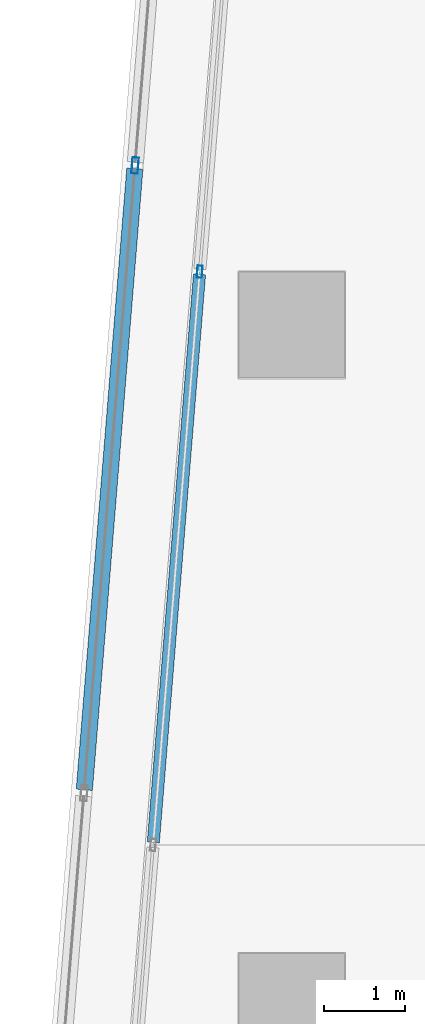
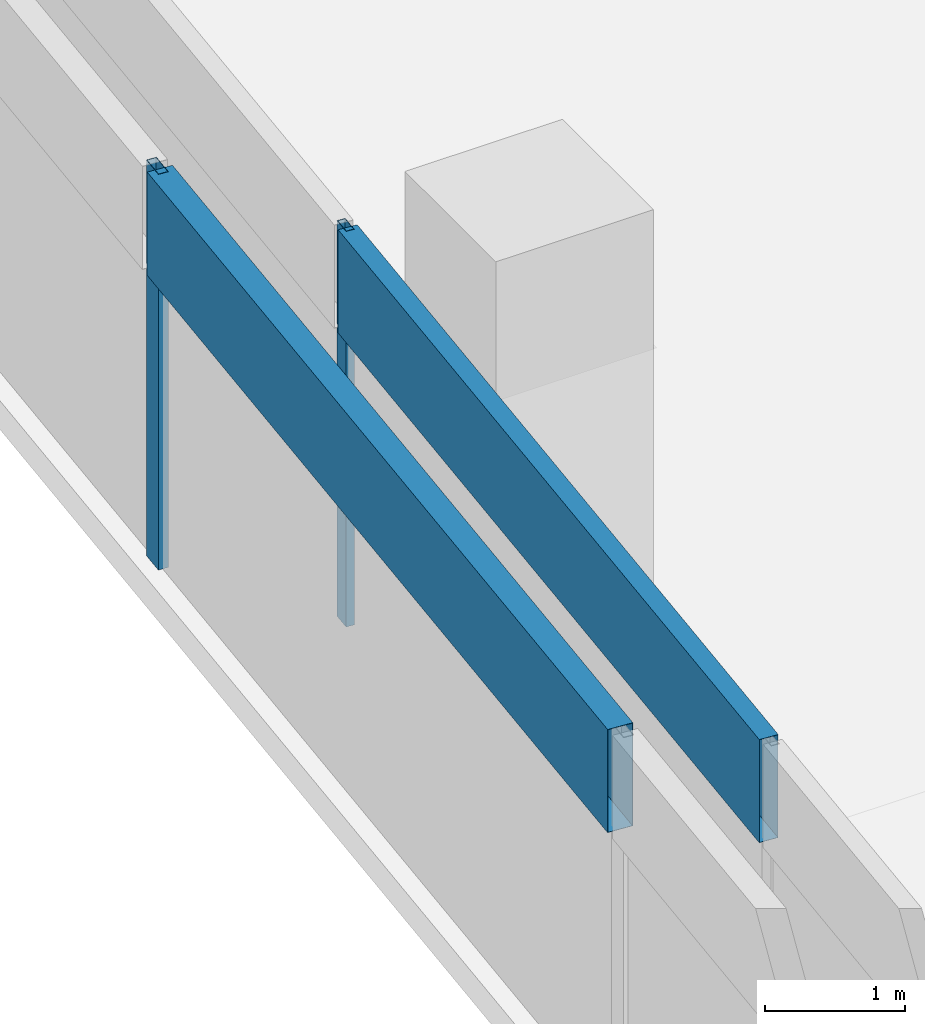
# One storey, part 8 of 30: 4 members, 2 elements without a shape of their own.
"""IFC4 building model written with IfcOpenShell, lengths in metres."""

import ifcopenshell
import ifcopenshell.guid

model = None  # the IFC model being written
_history = None  # IfcOwnerHistory: only IFC2X3 demands one
_inside = {}  # id of a spatial element -> (the spatial element, [elements in it])
_under = {}  # id of a project, library or spatial element -> (it, [spatial elements below it])
_declared = {}  # id of a project -> (the project, [libraries it declares])
_typed = {}  # id of a type object -> (the type object, [elements of that type])
_made_of = {}  # id of a material, layer set ... -> (it, [elements and type objects made of it])


def new_model(schema):
    """Start an empty IFC model of exactly this schema.

    Asked for "IFC4X3", IfcOpenShell would pick the latest addendum, in which some entities
    have other attributes; the version numbers below select the first issue.
    IFC2X3 requires an IfcOwnerHistory on every rooted entity: one is made here for all.
    """
    global model, _history
    if schema == "IFC4X3":
        model = ifcopenshell.file(schema_version=(4, 3, 0, 0))
    else:
        model = ifcopenshell.file(schema=schema)
    _inside.clear()
    _under.clear()
    _declared.clear()
    _typed.clear()
    _made_of.clear()
    _history = None
    if model.schema == "IFC2X3":
        org = make("IfcOrganization", Name="unknown")
        user = make(
            "IfcPersonAndOrganization",
            ThePerson=make("IfcPerson", FamilyName="unknown"),
            TheOrganization=org,
        )
        app = make(
            "IfcApplication",
            ApplicationDeveloper=org,
            Version="unknown",
            ApplicationFullName="unknown",
            ApplicationIdentifier="unknown",
        )
        _history = make(
            "IfcOwnerHistory",
            OwningUser=user,
            OwningApplication=app,
            ChangeAction="ADDED",
            CreationDate=0,
        )
    return model


def make(cls, **values):
    """One entity of the class cls with the attributes given. An attribute that is None is left unset."""
    return model.create_entity(
        cls, **{name: value for name, value in values.items() if value is not None}
    )


def rooted(cls, **values):
    """An entity with a GlobalId (a new one), such as an element, a storey or a relation."""
    return make(cls, GlobalId=ifcopenshell.guid.new(), OwnerHistory=_history, **values)


def si_unit(unit_type, name, prefix=None):
    """IfcSIUnit, for example si_unit("LENGTHUNIT", "METRE", prefix="MILLI")."""
    return make("IfcSIUnit", UnitType=unit_type, Prefix=prefix, Name=name)


def assignment(units):
    """IfcUnitAssignment: the units of a project."""
    return None if units is None else make("IfcUnitAssignment", Units=units)


def point(xyz):
    """IfcCartesianPoint."""
    return None if xyz is None else make("IfcCartesianPoint", Coordinates=xyz)


def direction(xyz):
    """IfcDirection."""
    return None if xyz is None else make("IfcDirection", DirectionRatios=xyz)


def frame(location, z_axis=None, x_axis=None):
    """IfcAxis2Placement3D, a coordinate frame: its origin and axes. An axis left out is left unset."""
    return make(
        "IfcAxis2Placement3D",
        Location=point(location),
        Axis=direction(z_axis),
        RefDirection=direction(x_axis),
    )


def frame_2d(location, x_axis=None):
    """IfcAxis2Placement2D, a coordinate frame in the plane: its origin and x axis."""
    return make(
        "IfcAxis2Placement2D", Location=point(location), RefDirection=direction(x_axis)
    )


def origin():
    """The frame at (0, 0, 0) with its axes left unset."""
    return frame((0.0, 0.0, 0.0))


def origin_2d():
    """The frame at (0, 0) in the plane with its x axis left unset."""
    return frame_2d((0.0, 0.0))


def place(relative_to, where):
    """IfcLocalPlacement: puts the frame where relative to a parent placement (None: the world)."""
    return make(
        "IfcLocalPlacement", PlacementRelTo=relative_to, RelativePlacement=where
    )


def context(
    kind, dimensions, precision=None, world=None, true_north=None, identifier=None
):
    """IfcGeometricRepresentationContext, for example the 3D "Model" context."""
    return make(
        "IfcGeometricRepresentationContext",
        ContextIdentifier=identifier,
        ContextType=kind,
        CoordinateSpaceDimension=dimensions,
        Precision=precision,
        WorldCoordinateSystem=world,
        TrueNorth=true_north,
    )


def subcontext(parent, identifier, kind, view, scale=None):
    """IfcGeometricRepresentationSubContext, for example "Body" below "Model"."""
    return make(
        "IfcGeometricRepresentationSubContext",
        ContextIdentifier=identifier,
        ContextType=kind,
        ParentContext=parent,
        TargetScale=scale,
        TargetView=view,
    )


def project(units=None, contexts=None):
    """IfcProject with its units and contexts."""
    return rooted(
        "IfcProject",
        Name="project",
        RepresentationContexts=contexts,
        UnitsInContext=assignment(units),
    )


def spatial(cls, under=None, at=None, **own):
    """A site, building, storey or space (cls), placed at a placement, below another one or the project."""
    s = rooted(cls, ObjectPlacement=at, **own)
    if under is not None:
        _under.setdefault(under.id(), (under, []))[1].append(s)
    return s


def profile(cls, at=None, kind="AREA", **sizes):
    """A parametric profile (cls). Its sizes go by their IFC names, for example OverallWidth=200.0."""
    return make(cls, ProfileType=kind, Position=at, **sizes)


def hollow_rectangle(**sizes):
    """IfcRectangleHollowProfileDef."""
    return profile("IfcRectangleHollowProfileDef", **sizes)


def extrude(swept, where, along, depth):
    """IfcExtrudedAreaSolid: the profile swept, set in the frame where, extruded along a direction by depth."""
    return make(
        "IfcExtrudedAreaSolid",
        SweptArea=swept,
        Position=where,
        ExtrudedDirection=direction(along),
        Depth=depth,
    )


def shape(context_of_items, identifier, shape_type, items):
    """IfcShapeRepresentation: the items that make up one representation, for example the "Body"."""
    return make(
        "IfcShapeRepresentation",
        ContextOfItems=context_of_items,
        RepresentationIdentifier=identifier,
        RepresentationType=shape_type,
        Items=items,
    )


def material(Name=None, Category=None):
    """IfcMaterial."""
    return make("IfcMaterial", Name=Name, Category=Category)


def material_profile(
    of_material, cross_section, Name=None, Category=None, Priority=None
):
    """IfcMaterialProfile: a cross section and its material."""
    return make(
        "IfcMaterialProfile",
        Name=Name,
        Material=of_material,
        Profile=cross_section,
        Priority=Priority,
        Category=Category,
    )


def profile_set(profiles, Name=None, composite=None):
    """IfcMaterialProfileSet."""
    return make(
        "IfcMaterialProfileSet",
        Name=Name,
        MaterialProfiles=profiles,
        CompositeProfile=composite,
    )


def made_of(thing, what):
    """Note that an element or type object is made of a material, layer set ...; save() writes the relation."""
    if what is not None:
        _made_of.setdefault(what.id(), (what, []))[1].append(thing)
    return thing


def type_object(cls, material=None, **own):
    """A type object (cls), such as IfcWallType, which elements share."""
    return made_of(rooted(cls, **own), material)


def element(
    cls,
    number,
    at=None,
    inside=None,
    cuts=None,
    type_object=None,
    material=None,
    context=None,
    identifier="Body",
    shape_type=None,
    held_by="IfcProductDefinitionShape",
    body=None,
    shapes=None,
    **own,
):
    """One element of the class cls, such as IfcWall. Its Tag is "e" and its number.

    at: its placement. inside: the storey or other place that contains it. cuts: it is an
    opening in that element (IfcRelVoidsElement). A single representation is given by context,
    identifier, shape_type and body (its items); several are given by shapes. held_by: the class
    of the entity that holds the representations. save() writes the other relations.
    """
    e = rooted(cls, Tag="e%d" % number, ObjectPlacement=at, **own)
    if body is not None:
        shapes = [shape(context, identifier, shape_type, body)]
    if shapes is not None:
        e.Representation = make(held_by, Representations=shapes)
    if inside is not None:
        _inside.setdefault(inside.id(), (inside, []))[1].append(e)
    if cuts is not None:
        rooted(
            "IfcRelVoidsElement", RelatingBuildingElement=cuts, RelatedOpeningElement=e
        )
    if type_object is not None:
        _typed.setdefault(type_object.id(), (type_object, []))[1].append(e)
    return made_of(e, material)


def aggregate(whole, parts):
    """IfcRelAggregates: a whole, such as a stair, and the parts it consists of."""
    return rooted("IfcRelAggregates", RelatingObject=whole, RelatedObjects=parts)


def save(model, path):
    """Write the relations noted so far, then the file.

    IfcRelAggregates (storeys below a building ...), IfcRelContainedInSpatialStructure (elements
    in a storey), IfcRelDefinesByType, IfcRelAssociatesMaterial and IfcRelDeclares: one each for
    every whole, place, type object, material and project.
    """
    for whole, parts in _under.values():
        aggregate(whole, parts)
    for where, things in _inside.values():
        rooted(
            "IfcRelContainedInSpatialStructure",
            RelatedElements=things,
            RelatingStructure=where,
        )
    for kind, things in _typed.values():
        rooted("IfcRelDefinesByType", RelatedObjects=things, RelatingType=kind)
    for what, things in _made_of.values():
        rooted("IfcRelAssociatesMaterial", RelatedObjects=things, RelatingMaterial=what)
    for by, libraries in _declared.values():
        rooted("IfcRelDeclares", RelatingContext=by, RelatedDefinitions=libraries)
    model.write(path)


model = new_model("IFC4")

# Units and contexts
model_context = context("Model", 3, precision=1e-05, world=origin(), true_north=direction((0.0, 1.0)))
body_context = subcontext(model_context, "Body", "Model", "MODEL_VIEW")
ifc_project = project(units=[si_unit("LENGTHUNIT", "METRE"), si_unit("AREAUNIT", "SQUARE_METRE"), si_unit("VOLUMEUNIT", "CUBIC_METRE"), si_unit("PLANEANGLEUNIT", "RADIAN"), si_unit("MASSUNIT", "GRAM", prefix="KILO")], contexts=[model_context])

# Site, building, storey
site_placement = place(None, origin())
site = spatial("IfcSite", under=ifc_project, at=site_placement, CompositionType="ELEMENT")
building_placement = place(site_placement, origin())
building = spatial("IfcBuilding", under=site, at=building_placement, Name="Rekha Terrace Tower", CompositionType="ELEMENT")
storey_placement = place(building_placement, frame((0.0, 0.0, 287.60009765625)))
storey = spatial("IfcBuildingStorey", under=building, at=storey_placement, Name="L73", CompositionType="ELEMENT", Elevation=287.60009765625)

# Curtain wall, members
ifc_material_1 = material(Name="Aluminium framing", Category="aluminium")
curtain_wall_type_1 = type_object("IfcCurtainWallType", Name="CW1 double skin inner glazing", PredefinedType="USERDEFINED", material=ifc_material_1)
curtain_wall_1_placement = place(storey_placement, origin())
curtain_wall_1 = element("IfcCurtainWall", 1, at=curtain_wall_1_placement, inside=storey, type_object=curtain_wall_type_1, Name="CW1 double skin inner glazing", ObjectType="DOUBLE SKIN INNER GLAZING", PredefinedType="USERDEFINED")
ifc_material_2 = material(Name="Aluminium mullion section", Category="aluminium")
ifc_material_profile_1 = material_profile(ifc_material_2, hollow_rectangle(XDim=0.06494140625, YDim=0.14990234375, WallThickness=0.00390625, at=origin_2d()), Name="AL RHS 65x150")
ifc_profile_set_1 = profile_set([ifc_material_profile_1], Name="Aluminium mullion section")
member_type_1 = type_object("IfcMemberType", Name="CW1 mullion RHS 65 x 150", PredefinedType="MULLION", material=ifc_profile_set_1)
member_1_placement = place(storey_placement, frame((7.265625, 42.65625, 0.0), z_axis=(0.0, 0.0, 1.0), x_axis=(0.996708580524, -0.081067906781, 0.0)))
member_1 = element("IfcMember", 2, at=member_1_placement, type_object=member_type_1, Name="CW1 mullion 2", PredefinedType="MULLION", context=body_context, shape_type="SweptSolid", body=[
    extrude(hollow_rectangle(XDim=0.06494140625, YDim=0.14990234375, WallThickness=0.00390625, at=origin_2d()), origin(), (0.0, 0.0, 1.0), 3.449951171875),
])
ifc_material_3 = material(Name="Insulated aluminium spandrel box", Category="aluminium")
ifc_material_profile_2 = material_profile(ifc_material_3, hollow_rectangle(XDim=0.14990234375, YDim=0.89990234375, WallThickness=0.0029296875, at=origin_2d()), Name="AL SPANDREL BOX 150x900")
ifc_profile_set_2 = profile_set([ifc_material_profile_2], Name="Insulated aluminium spandrel box")
member_type_2 = type_object("IfcMemberType", Name="CW1 spandrel transom 150 x 900", PredefinedType="USERDEFINED", material=ifc_profile_set_2)
member_2_placement = place(storey_placement, frame((7.26318359375, 42.623779296875, 3.0), z_axis=(-0.081080883426, -0.996707524976, 0.0), x_axis=(0.996707524976, -0.081080883426, 0.0)))
member_2 = element("IfcMember", 3, at=member_2_placement, type_object=member_type_2, Name="CW1 spandrel transom 2", ObjectType="TRANSOM", PredefinedType="USERDEFINED", context=body_context, shape_type="SweptSolid", body=[
    extrude(hollow_rectangle(XDim=0.14990234375, YDim=0.89990234375, WallThickness=0.0029296875, at=origin_2d()), origin(), (0.0, 0.0, 1.0), 7.02490234375),
])
aggregate(curtain_wall_1, [member_1, member_2])

curtain_wall_type_2 = type_object("IfcCurtainWallType", Name="CW2 double skin outer glazing", PredefinedType="USERDEFINED", material=ifc_material_1)
curtain_wall_2_placement = place(storey_placement, origin())
curtain_wall_2 = element("IfcCurtainWall", 4, at=curtain_wall_2_placement, inside=storey, type_object=curtain_wall_type_2, Name="CW2 double skin outer glazing", ObjectType="DOUBLE SKIN OUTER GLAZING", PredefinedType="USERDEFINED")
ifc_material_profile_3 = material_profile(ifc_material_2, hollow_rectangle(XDim=0.080078125, YDim=0.199951171875, WallThickness=0.00390625, at=origin_2d()), Name="AL RHS 80x200")
ifc_profile_set_3 = profile_set([ifc_material_profile_3], Name="Aluminium mullion section")
member_type_3 = type_object("IfcMemberType", Name="CW2 mullion RHS 80 x 200", PredefinedType="MULLION", material=ifc_profile_set_3)
member_3_placement = place(storey_placement, frame((6.46923828125, 43.9658203125, 0.0), z_axis=(0.0, 0.0, 1.0), x_axis=(0.996708580521, -0.081067906816, 0.0)))
member_3 = element("IfcMember", 5, at=member_3_placement, type_object=member_type_3, Name="CW2 mullion 2", PredefinedType="MULLION", context=body_context, shape_type="SweptSolid", body=[
    extrude(hollow_rectangle(XDim=0.080078125, YDim=0.199951171875, WallThickness=0.00390625, at=origin_2d()), origin(), (0.0, 0.0, 1.0), 3.449951171875),
])
ifc_material_profile_4 = material_profile(ifc_material_3, hollow_rectangle(XDim=0.199951171875, YDim=0.89990234375, WallThickness=0.0029296875, at=origin_2d()), Name="AL SPANDREL BOX 200x900")
ifc_profile_set_4 = profile_set([ifc_material_profile_4], Name="Insulated aluminium spandrel box")
member_type_4 = type_object("IfcMemberType", Name="CW2 spandrel transom 200 x 900", PredefinedType="USERDEFINED", material=ifc_profile_set_4)
member_4_placement = place(storey_placement, frame((6.466064453125, 43.926025390625, 3.0), z_axis=(-0.081082991857, -0.996707353455, 0.0), x_axis=(0.996707353455, -0.081082991857, 0.0)))
member_4 = element("IfcMember", 6, at=member_4_placement, type_object=member_type_4, Name="CW2 spandrel transom 2", ObjectType="TRANSOM", PredefinedType="USERDEFINED", context=body_context, shape_type="SweptSolid", body=[
    extrude(hollow_rectangle(XDim=0.199951171875, YDim=0.89990234375, WallThickness=0.0029296875, at=origin_2d()), origin(), (0.0, 0.0, 1.0), 7.68115234375),
])
aggregate(curtain_wall_2, [member_3, member_4])

save(model, "model.ifc")
